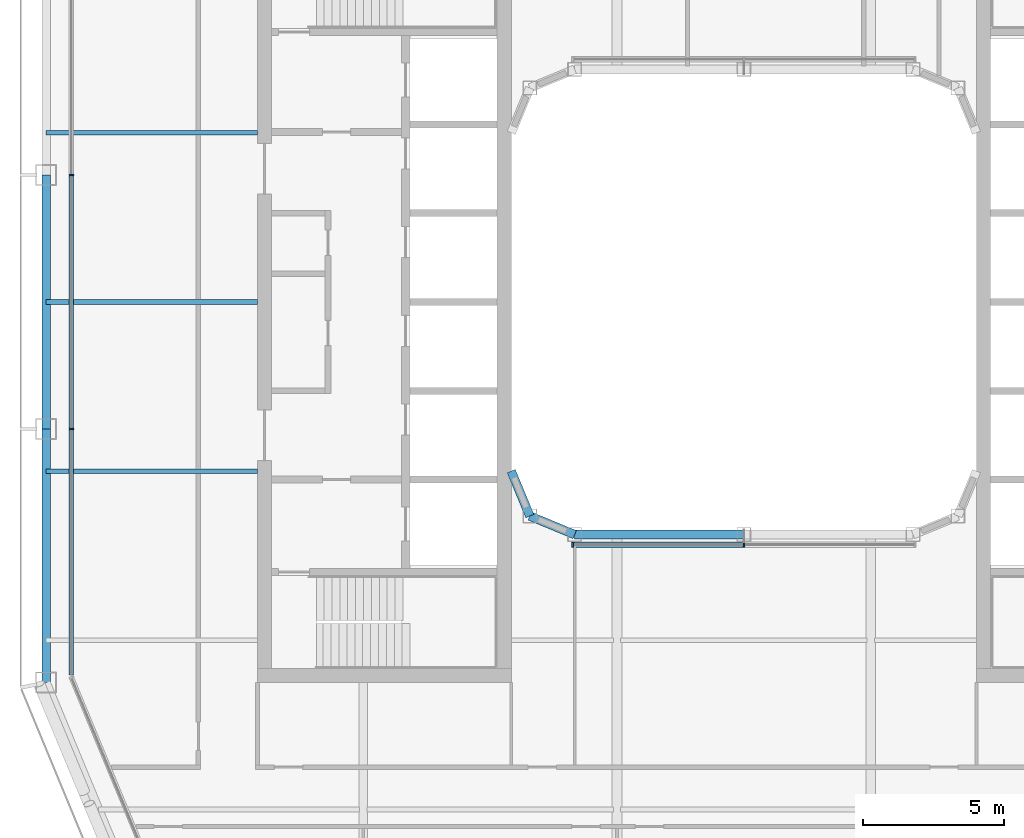
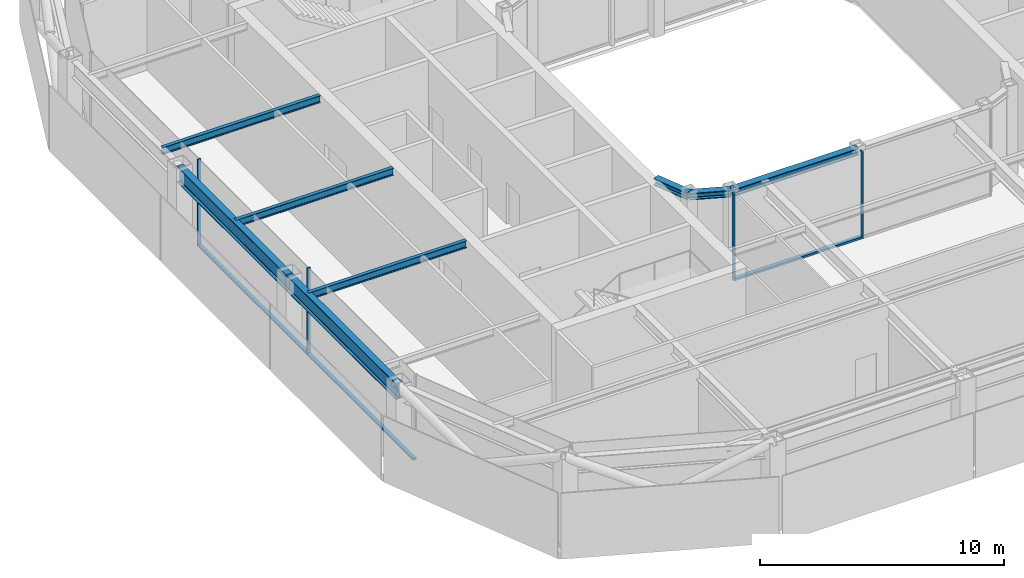
# One storey, part 3 of 17: 8 beams, 7 members, 2 elements without a shape of their own.
"""IFC4 building model written with IfcOpenShell, lengths in metres."""

from ifc_helpers import new_model, si_unit, direction, frame, origin, origin_2d, place, context, subcontext, project, spatial, rectangle, i_section, extrude, material, layer, layer_set, material_profile, profile_set, type_object, element, aggregate, save


model = new_model("IFC4")

# Units and contexts
model_context = context("Model", 3, precision=1e-05, world=origin(), true_north=direction((0.0, 1.0)))
body_context = subcontext(model_context, "Body", "Model", "MODEL_VIEW")
ifc_project = project(units=[si_unit("LENGTHUNIT", "METRE"), si_unit("AREAUNIT", "SQUARE_METRE"), si_unit("VOLUMEUNIT", "CUBIC_METRE"), si_unit("PLANEANGLEUNIT", "RADIAN"), si_unit("MASSUNIT", "GRAM", prefix="KILO")], contexts=[model_context])

# Site, building, storey
site_placement = place(None, origin())
site = spatial("IfcSite", under=ifc_project, at=site_placement, CompositionType="ELEMENT")
building_placement = place(site_placement, origin())
building = spatial("IfcBuilding", under=site, at=building_placement, Name="Siwar Civic Tower", CompositionType="ELEMENT")
storey_placement = place(building_placement, frame((0.0, 0.0, 289.699951171875)))
storey = spatial("IfcBuildingStorey", under=building, at=storey_placement, Name="L62", CompositionType="ELEMENT", Elevation=289.699951171875)

# Curtain wall, members
ifc_material_1 = material(Name="Aluminium and glass", Category="aluminium")
ifc_layer_1 = layer(ifc_material_1, 0.159912109375)
ifc_layer_set_1 = layer_set([ifc_layer_1], Name="Aluminium and glass")
curtain_wall_type_1 = type_object("IfcCurtainWallType", Name="ENV-CW-D", PredefinedType="NOTDEFINED", material=ifc_layer_set_1)
curtain_wall_1_placement = place(storey_placement, origin())
curtain_wall_1 = element("IfcCurtainWall", 1, at=curtain_wall_1_placement, inside=storey, type_object=curtain_wall_type_1, Name="Curtain wall D W", PredefinedType="NOTDEFINED")
ifc_material_2 = material(Name="Aluminium 6063-T6", Category="aluminium")
ifc_material_profile_1 = material_profile(ifc_material_2, rectangle(XDim=0.159912109375, YDim=0.06005859375, at=origin_2d()), Name="AL 160x60")
ifc_profile_set_1 = profile_set([ifc_material_profile_1], Name="Aluminium 6063-T6")
member_type_1 = type_object("IfcMemberType", Name="ENV-MULLION-D", PredefinedType="MULLION", material=ifc_profile_set_1)
member_1_placement = place(storey_placement, frame((-23.85009765625, 4.5, 0.0), z_axis=(0.0, 0.0, 1.0), x_axis=(1.0, 0.0, 0.0)))
member_1 = element("IfcMember", 2, at=member_1_placement, type_object=member_type_1, Name="Mullion D W 2", PredefinedType="MULLION", context=body_context, shape_type="SweptSolid", body=[
    extrude(rectangle(XDim=0.159912109375, YDim=0.06005859375, at=origin_2d()), origin(), (0.0, 0.0, 1.0), 4.35009765625),
])
member_2_placement = place(storey_placement, frame((-23.85009765625, -4.5, 0.0), z_axis=(0.0, 0.0, 1.0), x_axis=(1.0, 0.0, 0.0)))
member_2 = element("IfcMember", 3, at=member_2_placement, type_object=member_type_1, Name="Mullion D W 3", PredefinedType="MULLION", context=body_context, shape_type="SweptSolid", body=[
    extrude(rectangle(XDim=0.159912109375, YDim=0.06005859375, at=origin_2d()), origin(), (0.0, 0.0, 1.0), 4.35009765625),
])

ifc_material_3 = material(Name="Aluminium and glass", Category="aluminium")
ifc_layer_2 = layer(ifc_material_3, 0.179931640625)
ifc_layer_set_2 = layer_set([ifc_layer_2], Name="Aluminium and glass")
curtain_wall_type_2 = type_object("IfcCurtainWallType", Name="ENV-CW-W", PredefinedType="NOTDEFINED", material=ifc_layer_set_2)
curtain_wall_2_placement = place(storey_placement, origin())
curtain_wall_2 = element("IfcCurtainWall", 4, at=curtain_wall_2_placement, inside=storey, type_object=curtain_wall_type_2, Name="Curtain wall W WS", PredefinedType="NOTDEFINED")
ifc_material_4 = material(Name="Aluminium 6063-T6", Category="aluminium")
ifc_material_profile_2 = material_profile(ifc_material_4, rectangle(XDim=0.179931640625, YDim=0.06005859375, at=origin_2d()), Name="AL 180x60")
ifc_profile_set_2 = profile_set([ifc_material_profile_2], Name="Aluminium 6063-T6")
member_type_2 = type_object("IfcMemberType", Name="ENV-MULLION-W", PredefinedType="MULLION", material=ifc_profile_set_2)
member_3_placement = place(storey_placement, frame((-6.071533203125, -8.610107421875, 0.0), z_axis=(0.0, 0.0, 1.0), x_axis=(0.0, 1.0, 0.0)))
member_3 = element("IfcMember", 5, at=member_3_placement, type_object=member_type_2, Name="Mullion W WS 1", PredefinedType="MULLION", context=body_context, shape_type="SweptSolid", body=[
    extrude(rectangle(XDim=0.179931640625, YDim=0.06005859375, at=origin_2d()), origin(), (0.0, 0.0, 1.0), 4.35009765625),
])
member_4_placement = place(storey_placement, frame((0.0, -8.610107421875, 0.0), z_axis=(0.0, 0.0, 1.0), x_axis=(0.0, 1.0, 0.0)))
member_4 = element("IfcMember", 6, at=member_4_placement, type_object=member_type_2, Name="Mullion W WS 2", PredefinedType="MULLION", context=body_context, shape_type="SweptSolid", body=[
    extrude(rectangle(XDim=0.179931640625, YDim=0.06005859375, at=origin_2d()), origin(), (0.0, 0.0, 1.0), 4.35009765625),
])

# Member
ifc_material_5 = material(Name="Aluminium 6063-T6", Category="aluminium")
ifc_material_profile_3 = material_profile(ifc_material_5, rectangle(XDim=0.159912109375, YDim=0.10009765625, at=origin_2d()), Name="AL 160x100")
ifc_profile_set_3 = profile_set([ifc_material_profile_3], Name="Aluminium 6063-T6")
member_type_3 = type_object("IfcMemberType", Name="ENV-TRANSOM-D", PredefinedType="USERDEFINED", material=ifc_profile_set_3)
member_5_placement = place(storey_placement, frame((-23.85009765625, 4.469970703125, 0.050048828125), z_axis=(0.0, -1.0, 0.0), x_axis=(1.0, 0.0, 0.0)))
member_5 = element("IfcMember", 7, at=member_5_placement, type_object=member_type_3, Name="Transom D W 2", ObjectType="TRANSOM", PredefinedType="USERDEFINED", context=body_context, shape_type="SweptSolid", body=[
    extrude(rectangle(XDim=0.159912109375, YDim=0.10009765625, at=origin_2d()), origin(), (0.0, 0.0, 1.0), 8.93994140625),
])

member_6_placement = place(storey_placement, frame((-23.85009765625, -4.530029296875, 0.050048828125), z_axis=(0.0, -1.0, 0.0), x_axis=(1.0, 0.0, 0.0)))
member_6 = element("IfcMember", 8, at=member_6_placement, type_object=member_type_3, Name="Transom D W 3", ObjectType="TRANSOM", PredefinedType="USERDEFINED", context=body_context, shape_type="SweptSolid", body=[
    extrude(rectangle(XDim=0.159912109375, YDim=0.10009765625, at=origin_2d()), origin(), (0.0, 0.0, 1.0), 8.693115234375),
])

aggregate(curtain_wall_1, [member_1, member_2, member_5, member_6])

ifc_material_6 = material(Name="Aluminium 6063-T6", Category="aluminium")
ifc_material_profile_4 = material_profile(ifc_material_6, rectangle(XDim=0.179931640625, YDim=0.10009765625, at=origin_2d()), Name="AL 180x100")
ifc_profile_set_4 = profile_set([ifc_material_profile_4], Name="Aluminium 6063-T6")
member_type_4 = type_object("IfcMemberType", Name="ENV-TRANSOM-W", PredefinedType="USERDEFINED", material=ifc_profile_set_4)
member_7_placement = place(storey_placement, frame((-6.04150390625, -8.610107421875, 0.050048828125), z_axis=(1.0, 0.0, 0.0), x_axis=(0.0, 1.0, 0.0)))
member_7 = element("IfcMember", 9, at=member_7_placement, type_object=member_type_4, Name="Transom W WS 1", ObjectType="TRANSOM", PredefinedType="USERDEFINED", context=body_context, shape_type="SweptSolid", body=[
    extrude(rectangle(XDim=0.179931640625, YDim=0.10009765625, at=origin_2d()), origin(), (0.0, 0.0, 1.0), 6.011474609375),
])

aggregate(curtain_wall_2, [member_3, member_4, member_7])

# Beams
ifc_material_7 = material(Name="Steel S355", Category="steel")
ifc_material_profile_5 = material_profile(ifc_material_7, i_section(OverallWidth=0.169921875, OverallDepth=0.360107421875, WebThickness=0.008056640625, FlangeThickness=0.0126953125, FilletRadius=0.01806640625, at=origin_2d()), Name="IPE360")
ifc_profile_set_5 = profile_set([ifc_material_profile_5], Name="Steel S355")
beam_type_1 = type_object("IfcBeamType", Name="STR-FB-IPE360", PredefinedType="JOIST", material=ifc_profile_set_5)
for number, where, z_axis, x_axis, name in (
    (10, (-24.75, -6.0, 4.170166015625), (1.0, 0.0, 0.0), (0.0, 1.0, 0.0), "L62/bm/F016"),
    (11, (-24.75, 0.0, 4.170166015625), (1.0, 0.0, 0.0), (0.0, 1.0, 0.0), "L62/bm/F018"),
    (12, (-24.75, 6.0, 4.170166015625), (1.0, 0.0, 0.0), (0.0, 1.0, 0.0), "L62/bm/F020"),
):
    element("IfcBeam", number, at=place(storey_placement, frame(where, z_axis=z_axis, x_axis=x_axis)), inside=storey, type_object=beam_type_1, Name=name, PredefinedType="JOIST", context=body_context, shape_type="SweptSolid", body=[
        extrude(i_section(OverallWidth=0.169921875, OverallDepth=0.360107421875, WebThickness=0.008056640625, FlangeThickness=0.0126953125, FilletRadius=0.01806640625, at=origin_2d()), origin(), (0.0, 0.0, 1.0), 7.5),
    ])
ifc_material_8 = material(Name="Steel S355", Category="steel")
ifc_material_profile_6 = material_profile(ifc_material_8, i_section(OverallWidth=0.31005859375, OverallDepth=0.340087890625, WebThickness=0.02099609375, FlangeThickness=0.0390625, FilletRadius=0.027099609375, at=origin_2d()), Name="HEM300")
ifc_profile_set_6 = profile_set([ifc_material_profile_6], Name="Steel S355")
beam_type_2 = type_object("IfcBeamType", Name="STR-RB-HEM300", PredefinedType="BEAM", material=ifc_profile_set_6)
beam_1_placement = place(storey_placement, frame((-7.591064453125, -7.591064453125, 4.179931640625), z_axis=(0.923901072997, -0.382631424892, 0.0), x_axis=(0.382631424892, 0.923901072997, 0.0)))
element("IfcBeam", 13, at=beam_1_placement, inside=storey, type_object=beam_type_2, Name="L62/bm/RS0", PredefinedType="BEAM", context=body_context, shape_type="SweptSolid", body=[
    extrude(i_section(OverallWidth=0.31005859375, OverallDepth=0.340087890625, WebThickness=0.02099609375, FlangeThickness=0.0390625, FilletRadius=0.027099609375, at=origin_2d()), origin(), (0.0, 0.0, 1.0), 1.72216796875),
])
beam_2_placement = place(storey_placement, frame((-6.0, -8.25, 4.179931640625), z_axis=(1.0, 0.0, 0.0), x_axis=(0.0, 1.0, 0.0)))
element("IfcBeam", 14, at=beam_2_placement, inside=storey, type_object=beam_type_2, Name="L62/bm/RS1", PredefinedType="BEAM", context=body_context, shape_type="SweptSolid", body=[
    extrude(i_section(OverallWidth=0.31005859375, OverallDepth=0.340087890625, WebThickness=0.02099609375, FlangeThickness=0.0390625, FilletRadius=0.027099609375, at=origin_2d()), origin(), (0.0, 0.0, 1.0), 6.0),
])
beam_3_placement = place(storey_placement, frame((-7.591064453125, -7.591064453125, 4.179931640625), z_axis=(-0.382631424892, 0.923901072997, 0.0), x_axis=(-0.923901072997, -0.382631424892, 0.0)))
element("IfcBeam", 15, at=beam_3_placement, inside=storey, type_object=beam_type_2, Name="L62/bm/RSEW", PredefinedType="BEAM", context=body_context, shape_type="SweptSolid", body=[
    extrude(i_section(OverallWidth=0.31005859375, OverallDepth=0.340087890625, WebThickness=0.02099609375, FlangeThickness=0.0390625, FilletRadius=0.027099609375, at=origin_2d()), origin(), (0.0, 0.0, 1.0), 1.72216796875),
])
ifc_material_9 = material(Name="Steel S355", Category="steel")
ifc_material_profile_7 = material_profile(ifc_material_9, i_section(OverallWidth=0.300048828125, OverallDepth=0.800048828125, WebThickness=0.017578125, FlangeThickness=0.032958984375, FilletRadius=0.030029296875, at=origin_2d()), Name="HEB800")
ifc_profile_set_7 = profile_set([ifc_material_profile_7], Name="Steel S355")
beam_type_3 = type_object("IfcBeamType", Name="STR-SB-HEB800", PredefinedType="BEAM", material=ifc_profile_set_7)
for number, where, z_axis, x_axis, name in (
    (16, (-24.75, 4.5, 3.949951171875), (0.0, -1.0, 0.0), (1.0, 0.0, 0.0), "L62/bm/SW-1"),
    (17, (-24.75, -4.5, 3.949951171875), (0.0, -1.0, 0.0), (1.0, 0.0, 0.0), "L62/bm/SW-2"),
):
    element("IfcBeam", number, at=place(storey_placement, frame(where, z_axis=z_axis, x_axis=x_axis)), inside=storey, type_object=beam_type_3, Name=name, PredefinedType="BEAM", context=body_context, shape_type="SweptSolid", body=[
        extrude(i_section(OverallWidth=0.300048828125, OverallDepth=0.800048828125, WebThickness=0.017578125, FlangeThickness=0.032958984375, FilletRadius=0.030029296875, at=origin_2d()), origin(), (0.0, 0.0, 1.0), 9.0),
    ])

save(model, "model.ifc")
